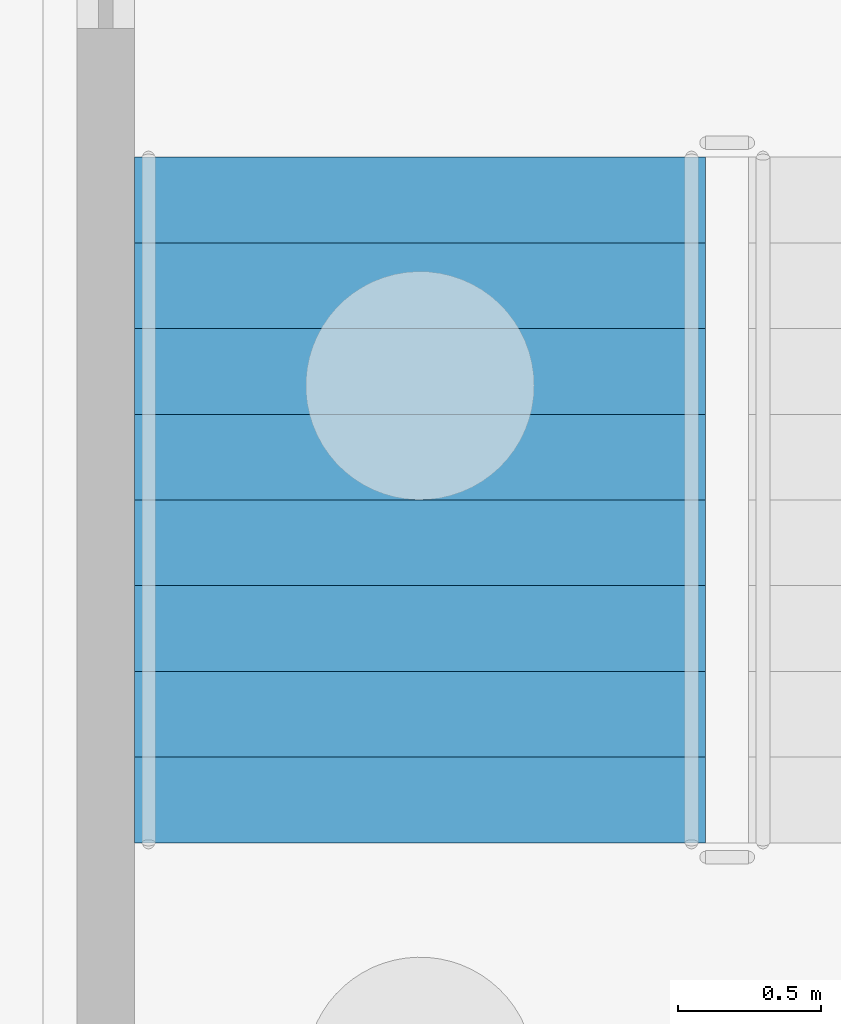
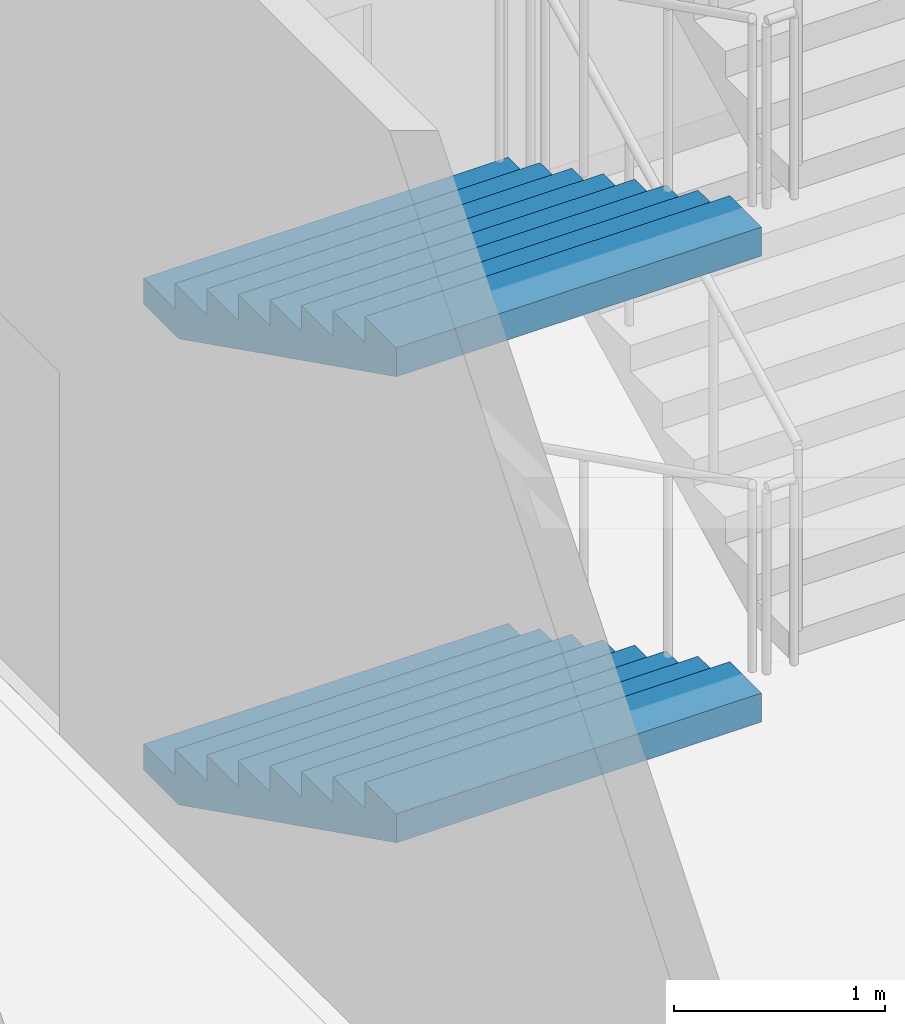
# One storey, part 100 of 129: 2 stair flights, 1 element without a shape of its own.
"""IFC4 building model written with IfcOpenShell, lengths in metres."""

from ifc_helpers import new_model, si_unit, direction, frame, origin, place, context, subcontext, project, spatial, faceted_brep, material, type_object, element, aggregate, save


model = new_model("IFC4")

# Units and contexts
model_context = context("Model", 3, precision=1e-05, world=origin(), true_north=direction((0.0, 1.0)))
body_context = subcontext(model_context, "Body", "Model", "MODEL_VIEW")
ifc_project = project(units=[si_unit("LENGTHUNIT", "METRE"), si_unit("AREAUNIT", "SQUARE_METRE"), si_unit("VOLUMEUNIT", "CUBIC_METRE"), si_unit("PLANEANGLEUNIT", "RADIAN"), si_unit("MASSUNIT", "GRAM", prefix="KILO")], contexts=[model_context])

# Site, building, storey
site_placement = place(None, origin())
site = spatial("IfcSite", under=ifc_project, at=site_placement, CompositionType="ELEMENT")
building_placement = place(site_placement, origin())
building = spatial("IfcBuilding", under=site, at=building_placement, Name="Kiln Court Media Centre", CompositionType="ELEMENT")
storey_placement = place(building_placement, origin())
storey = spatial("IfcBuildingStorey", under=building, at=storey_placement, Name="L00", CompositionType="ELEMENT", Elevation=0.0)

# Stair, stair flights
ifc_material_1 = material(Name="Concrete C40/50", Category="concrete")
stair_type = type_object("IfcStairType", Name="Concrete C40/50 dog-leg stair 2000 wide, 150 riser", PredefinedType="HALF_TURN_STAIR", material=ifc_material_1)
stair_placement = place(storey_placement, origin())
stair = element("IfcStair", 1, at=stair_placement, inside=storey, type_object=stair_type, Name="ST-15 L00", PredefinedType="HALF_TURN_STAIR")
ifc_material_2 = material(Name="Concrete C40/50", Category="concrete")
stair_flight_type = type_object("IfcStairFlightType", Name="Concrete C40/50 stair flight 2000 wide, 150 riser, 300 going", PredefinedType="STRAIGHT", material=ifc_material_2)
stair_flight_1_placement = place(storey_placement, frame((164.39990234375, 64.39990234375, 0.0), z_axis=(0.0, 0.0, 1.0), x_axis=(0.0, -1.0, 0.0)))
stair_flight_1 = element("IfcStairFlight", 2, at=stair_flight_1_placement, type_object=stair_flight_type, Name="L00-ST-5014 flight 5056", NumberOfRisers=9, NumberOfTreads=8, PredefinedType="STRAIGHT", RiserHeight=0.15, TreadLength=0.3, context=body_context, shape_type="Brep", body=[
    faceted_brep([(0.335205078125, -1.0, 0.0), (2.39990234375, -1.0, 1.032470703125), (2.39990234375, -1.0, 1.199951171875), (2.10009765625, -1.0, 1.199951171875), (2.10009765625, -1.0, 1.050048828125), (1.800048828125, -1.0, 1.050048828125), (1.800048828125, -1.0, 0.89990234375), (1.5, -1.0, 0.89990234375), (1.5, -1.0, 0.75), (1.199951171875, -1.0, 0.75), (1.199951171875, -1.0, 0.60009765625), (0.89990234375, -1.0, 0.60009765625), (0.89990234375, -1.0, 0.449951171875), (0.60009765625, -1.0, 0.449951171875), (0.60009765625, -1.0, 0.300048828125), (0.300048828125, -1.0, 0.300048828125), (0.300048828125, -1.0, 0.14990234375), (0.0, -1.0, 0.14990234375), (0.0, -1.0, 0.0), (0.0, 1.0, 0.0), (0.0, 1.0, 0.14990234375), (0.300048828125, 1.0, 0.14990234375), (0.300048828125, 1.0, 0.300048828125), (0.60009765625, 1.0, 0.300048828125), (0.60009765625, 1.0, 0.449951171875), (0.89990234375, 1.0, 0.449951171875), (0.89990234375, 1.0, 0.60009765625), (1.199951171875, 1.0, 0.60009765625), (1.199951171875, 1.0, 0.75), (1.5, 1.0, 0.75), (1.5, 1.0, 0.89990234375), (1.800048828125, 1.0, 0.89990234375), (1.800048828125, 1.0, 1.050048828125), (2.10009765625, 1.0, 1.050048828125), (2.10009765625, 1.0, 1.199951171875), (2.39990234375, 1.0, 1.199951171875), (2.39990234375, 1.0, 1.032470703125), (0.335205078125, 1.0, 0.0), (2.39990234375, 0.10009765625, 1.032470703125), (0.335205078125, 0.10009765625, 0.0), (2.39990234375, 0.080078125, 1.032470703125), (0.335205078125, 0.080078125, 0.0), (2.39990234375, 0.06005859375, 1.032470703125), (0.335205078125, 0.06005859375, 0.0), (2.39990234375, 0.0400390625, 1.032470703125), (0.335205078125, 0.0400390625, 0.0), (2.39990234375, 0.02001953125, 1.032470703125), (0.335205078125, 0.02001953125, 0.0), (2.39990234375, 0.0, 1.032470703125), (0.335205078125, 0.0, 0.0), (2.39990234375, -0.02001953125, 1.032470703125), (0.335205078125, -0.02001953125, 0.0), (2.39990234375, -0.0400390625, 1.032470703125), (0.335205078125, -0.0400390625, 0.0), (2.39990234375, -0.06005859375, 1.032470703125), (0.335205078125, -0.06005859375, 0.0), (2.39990234375, -0.080078125, 1.032470703125), (0.335205078125, -0.080078125, 0.0), (2.39990234375, -0.10009765625, 1.032470703125), (0.335205078125, -0.10009765625, 0.0), (2.39990234375, 0.10009765625, 1.199951171875), (2.39990234375, 0.080078125, 1.199951171875), (2.39990234375, 0.06005859375, 1.199951171875), (2.39990234375, 0.0400390625, 1.199951171875), (2.39990234375, 0.02001953125, 1.199951171875), (2.39990234375, 0.0, 1.199951171875), (2.39990234375, -0.02001953125, 1.199951171875), (2.39990234375, -0.0400390625, 1.199951171875), (2.39990234375, -0.06005859375, 1.199951171875), (2.39990234375, -0.080078125, 1.199951171875), (2.39990234375, -0.10009765625, 1.199951171875), (2.10009765625, 0.10009765625, 1.199951171875), (2.10009765625, 0.080078125, 1.199951171875), (2.10009765625, 0.06005859375, 1.199951171875), (2.10009765625, 0.0400390625, 1.199951171875), (2.10009765625, 0.02001953125, 1.199951171875), (2.10009765625, 0.0, 1.199951171875), (2.10009765625, -0.02001953125, 1.199951171875), (2.10009765625, -0.0400390625, 1.199951171875), (2.10009765625, -0.06005859375, 1.199951171875), (2.10009765625, -0.080078125, 1.199951171875), (2.10009765625, -0.10009765625, 1.199951171875), (2.10009765625, 0.10009765625, 1.050048828125), (2.10009765625, 0.080078125, 1.050048828125), (2.10009765625, 0.06005859375, 1.050048828125), (2.10009765625, 0.0400390625, 1.050048828125), (2.10009765625, 0.02001953125, 1.050048828125), (2.10009765625, 0.0, 1.050048828125), (2.10009765625, -0.02001953125, 1.050048828125), (2.10009765625, -0.0400390625, 1.050048828125), (2.10009765625, -0.06005859375, 1.050048828125), (2.10009765625, -0.080078125, 1.050048828125), (2.10009765625, -0.10009765625, 1.050048828125), (1.800048828125, 0.10009765625, 1.050048828125), (1.800048828125, 0.080078125, 1.050048828125), (1.800048828125, 0.06005859375, 1.050048828125), (1.800048828125, 0.0400390625, 1.050048828125), (1.800048828125, 0.02001953125, 1.050048828125), (1.800048828125, 0.0, 1.050048828125), (1.800048828125, -0.02001953125, 1.050048828125), (1.800048828125, -0.0400390625, 1.050048828125), (1.800048828125, -0.06005859375, 1.050048828125), (1.800048828125, -0.080078125, 1.050048828125), (1.800048828125, -0.10009765625, 1.050048828125), (1.800048828125, 0.10009765625, 0.89990234375), (1.800048828125, 0.080078125, 0.89990234375), (1.800048828125, 0.06005859375, 0.89990234375), (1.800048828125, 0.0400390625, 0.89990234375), (1.800048828125, 0.02001953125, 0.89990234375), (1.800048828125, 0.0, 0.89990234375), (1.800048828125, -0.02001953125, 0.89990234375), (1.800048828125, -0.0400390625, 0.89990234375), (1.800048828125, -0.06005859375, 0.89990234375), (1.800048828125, -0.080078125, 0.89990234375), (1.800048828125, -0.10009765625, 0.89990234375), (1.5, 0.10009765625, 0.89990234375), (1.5, 0.080078125, 0.89990234375), (1.5, 0.06005859375, 0.89990234375), (1.5, 0.0400390625, 0.89990234375), (1.5, 0.02001953125, 0.89990234375), (1.5, 0.0, 0.89990234375), (1.5, -0.02001953125, 0.89990234375), (1.5, -0.0400390625, 0.89990234375), (1.5, -0.06005859375, 0.89990234375), (1.5, -0.080078125, 0.89990234375), (1.5, -0.10009765625, 0.89990234375), (1.5, 0.10009765625, 0.75), (1.5, 0.080078125, 0.75), (1.5, 0.06005859375, 0.75), (1.5, 0.0400390625, 0.75), (1.5, 0.02001953125, 0.75), (1.5, 0.0, 0.75), (1.5, -0.02001953125, 0.75), (1.5, -0.0400390625, 0.75), (1.5, -0.06005859375, 0.75), (1.5, -0.080078125, 0.75), (1.5, -0.10009765625, 0.75), (1.199951171875, 0.10009765625, 0.75), (1.199951171875, 0.080078125, 0.75), (1.199951171875, 0.06005859375, 0.75), (1.199951171875, 0.0400390625, 0.75), (1.199951171875, 0.02001953125, 0.75), (1.199951171875, 0.0, 0.75), (1.199951171875, -0.02001953125, 0.75), (1.199951171875, -0.0400390625, 0.75), (1.199951171875, -0.06005859375, 0.75), (1.199951171875, -0.080078125, 0.75), (1.199951171875, -0.10009765625, 0.75), (1.199951171875, 0.10009765625, 0.60009765625), (1.199951171875, 0.080078125, 0.60009765625), (1.199951171875, 0.06005859375, 0.60009765625), (1.199951171875, 0.0400390625, 0.60009765625), (1.199951171875, 0.02001953125, 0.60009765625), (1.199951171875, 0.0, 0.60009765625), (1.199951171875, -0.02001953125, 0.60009765625), (1.199951171875, -0.0400390625, 0.60009765625), (1.199951171875, -0.06005859375, 0.60009765625), (1.199951171875, -0.080078125, 0.60009765625), (1.199951171875, -0.10009765625, 0.60009765625), (0.89990234375, 0.10009765625, 0.60009765625), (0.89990234375, 0.080078125, 0.60009765625), (0.89990234375, 0.06005859375, 0.60009765625), (0.89990234375, 0.0400390625, 0.60009765625), (0.89990234375, 0.02001953125, 0.60009765625), (0.89990234375, 0.0, 0.60009765625), (0.89990234375, -0.02001953125, 0.60009765625), (0.89990234375, -0.0400390625, 0.60009765625), (0.89990234375, -0.06005859375, 0.60009765625), (0.89990234375, -0.080078125, 0.60009765625), (0.89990234375, -0.10009765625, 0.60009765625), (0.89990234375, 0.10009765625, 0.449951171875), (0.89990234375, 0.080078125, 0.449951171875), (0.89990234375, 0.06005859375, 0.449951171875), (0.89990234375, 0.0400390625, 0.449951171875), (0.89990234375, 0.02001953125, 0.449951171875), (0.89990234375, 0.0, 0.449951171875), (0.89990234375, -0.02001953125, 0.449951171875), (0.89990234375, -0.0400390625, 0.449951171875), (0.89990234375, -0.06005859375, 0.449951171875), (0.89990234375, -0.080078125, 0.449951171875), (0.89990234375, -0.10009765625, 0.449951171875), (0.60009765625, 0.10009765625, 0.449951171875), (0.60009765625, 0.080078125, 0.449951171875), (0.60009765625, 0.06005859375, 0.449951171875), (0.60009765625, 0.0400390625, 0.449951171875), (0.60009765625, 0.02001953125, 0.449951171875), (0.60009765625, 0.0, 0.449951171875), (0.60009765625, -0.02001953125, 0.449951171875), (0.60009765625, -0.0400390625, 0.449951171875), (0.60009765625, -0.06005859375, 0.449951171875), (0.60009765625, -0.080078125, 0.449951171875), (0.60009765625, -0.10009765625, 0.449951171875), (0.60009765625, 0.10009765625, 0.300048828125), (0.60009765625, 0.080078125, 0.300048828125), (0.60009765625, 0.06005859375, 0.300048828125), (0.60009765625, 0.0400390625, 0.300048828125), (0.60009765625, 0.02001953125, 0.300048828125), (0.60009765625, 0.0, 0.300048828125), (0.60009765625, -0.02001953125, 0.300048828125), (0.60009765625, -0.0400390625, 0.300048828125), (0.60009765625, -0.06005859375, 0.300048828125), (0.60009765625, -0.080078125, 0.300048828125), (0.60009765625, -0.10009765625, 0.300048828125), (0.300048828125, 0.10009765625, 0.300048828125), (0.300048828125, 0.080078125, 0.300048828125), (0.300048828125, 0.06005859375, 0.300048828125), (0.300048828125, 0.0400390625, 0.300048828125), (0.300048828125, 0.02001953125, 0.300048828125), (0.300048828125, 0.0, 0.300048828125), (0.300048828125, -0.02001953125, 0.300048828125), (0.300048828125, -0.0400390625, 0.300048828125), (0.300048828125, -0.06005859375, 0.300048828125), (0.300048828125, -0.080078125, 0.300048828125), (0.300048828125, -0.10009765625, 0.300048828125), (0.300048828125, 0.10009765625, 0.14990234375), (0.300048828125, 0.080078125, 0.14990234375), (0.300048828125, 0.06005859375, 0.14990234375), (0.300048828125, 0.0400390625, 0.14990234375), (0.300048828125, 0.02001953125, 0.14990234375), (0.300048828125, 0.0, 0.14990234375), (0.300048828125, -0.02001953125, 0.14990234375), (0.300048828125, -0.0400390625, 0.14990234375), (0.300048828125, -0.06005859375, 0.14990234375), (0.300048828125, -0.080078125, 0.14990234375), (0.300048828125, -0.10009765625, 0.14990234375), (0.0, 0.10009765625, 0.14990234375), (0.0, 0.080078125, 0.14990234375), (0.0, 0.06005859375, 0.14990234375), (0.0, 0.0400390625, 0.14990234375), (0.0, 0.02001953125, 0.14990234375), (0.0, 0.0, 0.14990234375), (0.0, -0.02001953125, 0.14990234375), (0.0, -0.0400390625, 0.14990234375), (0.0, -0.06005859375, 0.14990234375), (0.0, -0.080078125, 0.14990234375), (0.0, -0.10009765625, 0.14990234375), (0.0, 0.10009765625, 0.0), (0.0, 0.080078125, 0.0), (0.0, 0.06005859375, 0.0), (0.0, 0.0400390625, 0.0), (0.0, 0.02001953125, 0.0), (0.0, 0.0, 0.0), (0.0, -0.02001953125, 0.0), (0.0, -0.0400390625, 0.0), (0.0, -0.06005859375, 0.0), (0.0, -0.080078125, 0.0), (0.0, -0.10009765625, 0.0)], [[[0, 1, 2, 3, 4, 5, 6, 7, 8, 9, 10, 11, 12, 13, 14, 15, 16, 17, 18]], [[19, 20, 21, 22, 23, 24, 25, 26, 27, 28, 29, 30, 31, 32, 33, 34, 35, 36, 37]], [[37, 36, 38, 39]], [[39, 38, 40, 41]], [[41, 40, 42, 43]], [[43, 42, 44, 45]], [[45, 44, 46, 47]], [[47, 46, 48, 49]], [[49, 48, 50, 51]], [[51, 50, 52, 53]], [[53, 52, 54, 55]], [[55, 54, 56, 57]], [[57, 56, 58, 59]], [[59, 58, 1, 0]], [[36, 35, 60, 38]], [[38, 60, 61, 40]], [[40, 61, 62, 42]], [[42, 62, 63, 44]], [[44, 63, 64, 46]], [[46, 64, 65, 48]], [[48, 65, 66, 50]], [[50, 66, 67, 52]], [[52, 67, 68, 54]], [[54, 68, 69, 56]], [[56, 69, 70, 58]], [[58, 70, 2, 1]], [[35, 34, 71, 60]], [[60, 71, 72, 61]], [[61, 72, 73, 62]], [[62, 73, 74, 63]], [[63, 74, 75, 64]], [[64, 75, 76, 65]], [[65, 76, 77, 66]], [[66, 77, 78, 67]], [[67, 78, 79, 68]], [[68, 79, 80, 69]], [[69, 80, 81, 70]], [[70, 81, 3, 2]], [[34, 33, 82, 71]], [[71, 82, 83, 72]], [[72, 83, 84, 73]], [[73, 84, 85, 74]], [[74, 85, 86, 75]], [[75, 86, 87, 76]], [[76, 87, 88, 77]], [[77, 88, 89, 78]], [[78, 89, 90, 79]], [[79, 90, 91, 80]], [[80, 91, 92, 81]], [[81, 92, 4, 3]], [[33, 32, 93, 82]], [[82, 93, 94, 83]], [[83, 94, 95, 84]], [[84, 95, 96, 85]], [[85, 96, 97, 86]], [[86, 97, 98, 87]], [[87, 98, 99, 88]], [[88, 99, 100, 89]], [[89, 100, 101, 90]], [[90, 101, 102, 91]], [[91, 102, 103, 92]], [[92, 103, 5, 4]], [[32, 31, 104, 93]], [[93, 104, 105, 94]], [[94, 105, 106, 95]], [[95, 106, 107, 96]], [[96, 107, 108, 97]], [[97, 108, 109, 98]], [[98, 109, 110, 99]], [[99, 110, 111, 100]], [[100, 111, 112, 101]], [[101, 112, 113, 102]], [[102, 113, 114, 103]], [[103, 114, 6, 5]], [[31, 30, 115, 104]], [[104, 115, 116, 105]], [[105, 116, 117, 106]], [[106, 117, 118, 107]], [[107, 118, 119, 108]], [[108, 119, 120, 109]], [[109, 120, 121, 110]], [[110, 121, 122, 111]], [[111, 122, 123, 112]], [[112, 123, 124, 113]], [[113, 124, 125, 114]], [[114, 125, 7, 6]], [[30, 29, 126, 115]], [[115, 126, 127, 116]], [[116, 127, 128, 117]], [[117, 128, 129, 118]], [[118, 129, 130, 119]], [[119, 130, 131, 120]], [[120, 131, 132, 121]], [[121, 132, 133, 122]], [[122, 133, 134, 123]], [[123, 134, 135, 124]], [[124, 135, 136, 125]], [[125, 136, 8, 7]], [[29, 28, 137, 126]], [[126, 137, 138, 127]], [[127, 138, 139, 128]], [[128, 139, 140, 129]], [[129, 140, 141, 130]], [[130, 141, 142, 131]], [[131, 142, 143, 132]], [[132, 143, 144, 133]], [[133, 144, 145, 134]], [[134, 145, 146, 135]], [[135, 146, 147, 136]], [[136, 147, 9, 8]], [[28, 27, 148, 137]], [[137, 148, 149, 138]], [[138, 149, 150, 139]], [[139, 150, 151, 140]], [[140, 151, 152, 141]], [[141, 152, 153, 142]], [[142, 153, 154, 143]], [[143, 154, 155, 144]], [[144, 155, 156, 145]], [[145, 156, 157, 146]], [[146, 157, 158, 147]], [[147, 158, 10, 9]], [[27, 26, 159, 148]], [[148, 159, 160, 149]], [[149, 160, 161, 150]], [[150, 161, 162, 151]], [[151, 162, 163, 152]], [[152, 163, 164, 153]], [[153, 164, 165, 154]], [[154, 165, 166, 155]], [[155, 166, 167, 156]], [[156, 167, 168, 157]], [[157, 168, 169, 158]], [[158, 169, 11, 10]], [[26, 25, 170, 159]], [[159, 170, 171, 160]], [[160, 171, 172, 161]], [[161, 172, 173, 162]], [[162, 173, 174, 163]], [[163, 174, 175, 164]], [[164, 175, 176, 165]], [[165, 176, 177, 166]], [[166, 177, 178, 167]], [[167, 178, 179, 168]], [[168, 179, 180, 169]], [[169, 180, 12, 11]], [[25, 24, 181, 170]], [[170, 181, 182, 171]], [[171, 182, 183, 172]], [[172, 183, 184, 173]], [[173, 184, 185, 174]], [[174, 185, 186, 175]], [[175, 186, 187, 176]], [[176, 187, 188, 177]], [[177, 188, 189, 178]], [[178, 189, 190, 179]], [[179, 190, 191, 180]], [[180, 191, 13, 12]], [[24, 23, 192, 181]], [[181, 192, 193, 182]], [[182, 193, 194, 183]], [[183, 194, 195, 184]], [[184, 195, 196, 185]], [[185, 196, 197, 186]], [[186, 197, 198, 187]], [[187, 198, 199, 188]], [[188, 199, 200, 189]], [[189, 200, 201, 190]], [[190, 201, 202, 191]], [[191, 202, 14, 13]], [[23, 22, 203, 192]], [[192, 203, 204, 193]], [[193, 204, 205, 194]], [[194, 205, 206, 195]], [[195, 206, 207, 196]], [[196, 207, 208, 197]], [[197, 208, 209, 198]], [[198, 209, 210, 199]], [[199, 210, 211, 200]], [[200, 211, 212, 201]], [[201, 212, 213, 202]], [[202, 213, 15, 14]], [[22, 21, 214, 203]], [[203, 214, 215, 204]], [[204, 215, 216, 205]], [[205, 216, 217, 206]], [[206, 217, 218, 207]], [[207, 218, 219, 208]], [[208, 219, 220, 209]], [[209, 220, 221, 210]], [[210, 221, 222, 211]], [[211, 222, 223, 212]], [[212, 223, 224, 213]], [[213, 224, 16, 15]], [[21, 20, 225, 214]], [[214, 225, 226, 215]], [[215, 226, 227, 216]], [[216, 227, 228, 217]], [[217, 228, 229, 218]], [[218, 229, 230, 219]], [[219, 230, 231, 220]], [[220, 231, 232, 221]], [[221, 232, 233, 222]], [[222, 233, 234, 223]], [[223, 234, 235, 224]], [[224, 235, 17, 16]], [[20, 19, 236, 225]], [[225, 236, 237, 226]], [[226, 237, 238, 227]], [[227, 238, 239, 228]], [[228, 239, 240, 229]], [[229, 240, 241, 230]], [[230, 241, 242, 231]], [[231, 242, 243, 232]], [[232, 243, 244, 233]], [[233, 244, 245, 234]], [[234, 245, 246, 235]], [[235, 246, 18, 17]], [[19, 37, 39, 236]], [[236, 39, 41, 237]], [[237, 41, 43, 238]], [[238, 43, 45, 239]], [[239, 45, 47, 240]], [[240, 47, 49, 241]], [[241, 49, 51, 242]], [[242, 51, 53, 243]], [[243, 53, 55, 244]], [[244, 55, 57, 245]], [[245, 57, 59, 246]], [[246, 59, 0, 18]]]),
])
stair_flight_2_placement = place(storey_placement, frame((164.39990234375, 64.39990234375, 2.699951171875), z_axis=(0.0, 0.0, 1.0), x_axis=(0.0, -1.0, 0.0)))
stair_flight_2 = element("IfcStairFlight", 3, at=stair_flight_2_placement, type_object=stair_flight_type, Name="L00-ST-5014 flight 5058", NumberOfRisers=9, NumberOfTreads=8, PredefinedType="STRAIGHT", RiserHeight=0.15, TreadLength=0.3, context=body_context, shape_type="Brep", body=[
    faceted_brep([(0.335205078125, -1.0, 0.0), (2.39990234375, -1.0, 1.032470703125), (2.39990234375, -1.0, 1.199951171875), (2.10009765625, -1.0, 1.199951171875), (2.10009765625, -1.0, 1.050048828125), (1.800048828125, -1.0, 1.050048828125), (1.800048828125, -1.0, 0.89990234375), (1.5, -1.0, 0.89990234375), (1.5, -1.0, 0.75), (1.199951171875, -1.0, 0.75), (1.199951171875, -1.0, 0.60009765625), (0.89990234375, -1.0, 0.60009765625), (0.89990234375, -1.0, 0.449951171875), (0.60009765625, -1.0, 0.449951171875), (0.60009765625, -1.0, 0.300048828125), (0.300048828125, -1.0, 0.300048828125), (0.300048828125, -1.0, 0.14990234375), (0.0, -1.0, 0.14990234375), (0.0, -1.0, 0.0), (0.0, 1.0, 0.0), (0.0, 1.0, 0.14990234375), (0.300048828125, 1.0, 0.14990234375), (0.300048828125, 1.0, 0.300048828125), (0.60009765625, 1.0, 0.300048828125), (0.60009765625, 1.0, 0.449951171875), (0.89990234375, 1.0, 0.449951171875), (0.89990234375, 1.0, 0.60009765625), (1.199951171875, 1.0, 0.60009765625), (1.199951171875, 1.0, 0.75), (1.5, 1.0, 0.75), (1.5, 1.0, 0.89990234375), (1.800048828125, 1.0, 0.89990234375), (1.800048828125, 1.0, 1.050048828125), (2.10009765625, 1.0, 1.050048828125), (2.10009765625, 1.0, 1.199951171875), (2.39990234375, 1.0, 1.199951171875), (2.39990234375, 1.0, 1.032470703125), (0.335205078125, 1.0, 0.0), (2.39990234375, 0.10009765625, 1.032470703125), (0.335205078125, 0.10009765625, 0.0), (2.39990234375, 0.080078125, 1.032470703125), (0.335205078125, 0.080078125, 0.0), (2.39990234375, 0.06005859375, 1.032470703125), (0.335205078125, 0.06005859375, 0.0), (2.39990234375, 0.0400390625, 1.032470703125), (0.335205078125, 0.0400390625, 0.0), (2.39990234375, 0.02001953125, 1.032470703125), (0.335205078125, 0.02001953125, 0.0), (2.39990234375, 0.0, 1.032470703125), (0.335205078125, 0.0, 0.0), (2.39990234375, -0.02001953125, 1.032470703125), (0.335205078125, -0.02001953125, 0.0), (2.39990234375, -0.0400390625, 1.032470703125), (0.335205078125, -0.0400390625, 0.0), (2.39990234375, -0.06005859375, 1.032470703125), (0.335205078125, -0.06005859375, 0.0), (2.39990234375, -0.080078125, 1.032470703125), (0.335205078125, -0.080078125, 0.0), (2.39990234375, -0.10009765625, 1.032470703125), (0.335205078125, -0.10009765625, 0.0), (2.39990234375, 0.10009765625, 1.199951171875), (2.39990234375, 0.080078125, 1.199951171875), (2.39990234375, 0.06005859375, 1.199951171875), (2.39990234375, 0.0400390625, 1.199951171875), (2.39990234375, 0.02001953125, 1.199951171875), (2.39990234375, 0.0, 1.199951171875), (2.39990234375, -0.02001953125, 1.199951171875), (2.39990234375, -0.0400390625, 1.199951171875), (2.39990234375, -0.06005859375, 1.199951171875), (2.39990234375, -0.080078125, 1.199951171875), (2.39990234375, -0.10009765625, 1.199951171875), (2.10009765625, 0.10009765625, 1.199951171875), (2.10009765625, 0.080078125, 1.199951171875), (2.10009765625, 0.06005859375, 1.199951171875), (2.10009765625, 0.0400390625, 1.199951171875), (2.10009765625, 0.02001953125, 1.199951171875), (2.10009765625, 0.0, 1.199951171875), (2.10009765625, -0.02001953125, 1.199951171875), (2.10009765625, -0.0400390625, 1.199951171875), (2.10009765625, -0.06005859375, 1.199951171875), (2.10009765625, -0.080078125, 1.199951171875), (2.10009765625, -0.10009765625, 1.199951171875), (2.10009765625, 0.10009765625, 1.050048828125), (2.10009765625, 0.080078125, 1.050048828125), (2.10009765625, 0.06005859375, 1.050048828125), (2.10009765625, 0.0400390625, 1.050048828125), (2.10009765625, 0.02001953125, 1.050048828125), (2.10009765625, 0.0, 1.050048828125), (2.10009765625, -0.02001953125, 1.050048828125), (2.10009765625, -0.0400390625, 1.050048828125), (2.10009765625, -0.06005859375, 1.050048828125), (2.10009765625, -0.080078125, 1.050048828125), (2.10009765625, -0.10009765625, 1.050048828125), (1.800048828125, 0.10009765625, 1.050048828125), (1.800048828125, 0.080078125, 1.050048828125), (1.800048828125, 0.06005859375, 1.050048828125), (1.800048828125, 0.0400390625, 1.050048828125), (1.800048828125, 0.02001953125, 1.050048828125), (1.800048828125, 0.0, 1.050048828125), (1.800048828125, -0.02001953125, 1.050048828125), (1.800048828125, -0.0400390625, 1.050048828125), (1.800048828125, -0.06005859375, 1.050048828125), (1.800048828125, -0.080078125, 1.050048828125), (1.800048828125, -0.10009765625, 1.050048828125), (1.800048828125, 0.10009765625, 0.89990234375), (1.800048828125, 0.080078125, 0.89990234375), (1.800048828125, 0.06005859375, 0.89990234375), (1.800048828125, 0.0400390625, 0.89990234375), (1.800048828125, 0.02001953125, 0.89990234375), (1.800048828125, 0.0, 0.89990234375), (1.800048828125, -0.02001953125, 0.89990234375), (1.800048828125, -0.0400390625, 0.89990234375), (1.800048828125, -0.06005859375, 0.89990234375), (1.800048828125, -0.080078125, 0.89990234375), (1.800048828125, -0.10009765625, 0.89990234375), (1.5, 0.10009765625, 0.89990234375), (1.5, 0.080078125, 0.89990234375), (1.5, 0.06005859375, 0.89990234375), (1.5, 0.0400390625, 0.89990234375), (1.5, 0.02001953125, 0.89990234375), (1.5, 0.0, 0.89990234375), (1.5, -0.02001953125, 0.89990234375), (1.5, -0.0400390625, 0.89990234375), (1.5, -0.06005859375, 0.89990234375), (1.5, -0.080078125, 0.89990234375), (1.5, -0.10009765625, 0.89990234375), (1.5, 0.10009765625, 0.75), (1.5, 0.080078125, 0.75), (1.5, 0.06005859375, 0.75), (1.5, 0.0400390625, 0.75), (1.5, 0.02001953125, 0.75), (1.5, 0.0, 0.75), (1.5, -0.02001953125, 0.75), (1.5, -0.0400390625, 0.75), (1.5, -0.06005859375, 0.75), (1.5, -0.080078125, 0.75), (1.5, -0.10009765625, 0.75), (1.199951171875, 0.10009765625, 0.75), (1.199951171875, 0.080078125, 0.75), (1.199951171875, 0.06005859375, 0.75), (1.199951171875, 0.0400390625, 0.75), (1.199951171875, 0.02001953125, 0.75), (1.199951171875, 0.0, 0.75), (1.199951171875, -0.02001953125, 0.75), (1.199951171875, -0.0400390625, 0.75), (1.199951171875, -0.06005859375, 0.75), (1.199951171875, -0.080078125, 0.75), (1.199951171875, -0.10009765625, 0.75), (1.199951171875, 0.10009765625, 0.60009765625), (1.199951171875, 0.080078125, 0.60009765625), (1.199951171875, 0.06005859375, 0.60009765625), (1.199951171875, 0.0400390625, 0.60009765625), (1.199951171875, 0.02001953125, 0.60009765625), (1.199951171875, 0.0, 0.60009765625), (1.199951171875, -0.02001953125, 0.60009765625), (1.199951171875, -0.0400390625, 0.60009765625), (1.199951171875, -0.06005859375, 0.60009765625), (1.199951171875, -0.080078125, 0.60009765625), (1.199951171875, -0.10009765625, 0.60009765625), (0.89990234375, 0.10009765625, 0.60009765625), (0.89990234375, 0.080078125, 0.60009765625), (0.89990234375, 0.06005859375, 0.60009765625), (0.89990234375, 0.0400390625, 0.60009765625), (0.89990234375, 0.02001953125, 0.60009765625), (0.89990234375, 0.0, 0.60009765625), (0.89990234375, -0.02001953125, 0.60009765625), (0.89990234375, -0.0400390625, 0.60009765625), (0.89990234375, -0.06005859375, 0.60009765625), (0.89990234375, -0.080078125, 0.60009765625), (0.89990234375, -0.10009765625, 0.60009765625), (0.89990234375, 0.10009765625, 0.449951171875), (0.89990234375, 0.080078125, 0.449951171875), (0.89990234375, 0.06005859375, 0.449951171875), (0.89990234375, 0.0400390625, 0.449951171875), (0.89990234375, 0.02001953125, 0.449951171875), (0.89990234375, 0.0, 0.449951171875), (0.89990234375, -0.02001953125, 0.449951171875), (0.89990234375, -0.0400390625, 0.449951171875), (0.89990234375, -0.06005859375, 0.449951171875), (0.89990234375, -0.080078125, 0.449951171875), (0.89990234375, -0.10009765625, 0.449951171875), (0.60009765625, 0.10009765625, 0.449951171875), (0.60009765625, 0.080078125, 0.449951171875), (0.60009765625, 0.06005859375, 0.449951171875), (0.60009765625, 0.0400390625, 0.449951171875), (0.60009765625, 0.02001953125, 0.449951171875), (0.60009765625, 0.0, 0.449951171875), (0.60009765625, -0.02001953125, 0.449951171875), (0.60009765625, -0.0400390625, 0.449951171875), (0.60009765625, -0.06005859375, 0.449951171875), (0.60009765625, -0.080078125, 0.449951171875), (0.60009765625, -0.10009765625, 0.449951171875), (0.60009765625, 0.10009765625, 0.300048828125), (0.60009765625, 0.080078125, 0.300048828125), (0.60009765625, 0.06005859375, 0.300048828125), (0.60009765625, 0.0400390625, 0.300048828125), (0.60009765625, 0.02001953125, 0.300048828125), (0.60009765625, 0.0, 0.300048828125), (0.60009765625, -0.02001953125, 0.300048828125), (0.60009765625, -0.0400390625, 0.300048828125), (0.60009765625, -0.06005859375, 0.300048828125), (0.60009765625, -0.080078125, 0.300048828125), (0.60009765625, -0.10009765625, 0.300048828125), (0.300048828125, 0.10009765625, 0.300048828125), (0.300048828125, 0.080078125, 0.300048828125), (0.300048828125, 0.06005859375, 0.300048828125), (0.300048828125, 0.0400390625, 0.300048828125), (0.300048828125, 0.02001953125, 0.300048828125), (0.300048828125, 0.0, 0.300048828125), (0.300048828125, -0.02001953125, 0.300048828125), (0.300048828125, -0.0400390625, 0.300048828125), (0.300048828125, -0.06005859375, 0.300048828125), (0.300048828125, -0.080078125, 0.300048828125), (0.300048828125, -0.10009765625, 0.300048828125), (0.300048828125, 0.10009765625, 0.14990234375), (0.300048828125, 0.080078125, 0.14990234375), (0.300048828125, 0.06005859375, 0.14990234375), (0.300048828125, 0.0400390625, 0.14990234375), (0.300048828125, 0.02001953125, 0.14990234375), (0.300048828125, 0.0, 0.14990234375), (0.300048828125, -0.02001953125, 0.14990234375), (0.300048828125, -0.0400390625, 0.14990234375), (0.300048828125, -0.06005859375, 0.14990234375), (0.300048828125, -0.080078125, 0.14990234375), (0.300048828125, -0.10009765625, 0.14990234375), (0.0, 0.10009765625, 0.14990234375), (0.0, 0.080078125, 0.14990234375), (0.0, 0.06005859375, 0.14990234375), (0.0, 0.0400390625, 0.14990234375), (0.0, 0.02001953125, 0.14990234375), (0.0, 0.0, 0.14990234375), (0.0, -0.02001953125, 0.14990234375), (0.0, -0.0400390625, 0.14990234375), (0.0, -0.06005859375, 0.14990234375), (0.0, -0.080078125, 0.14990234375), (0.0, -0.10009765625, 0.14990234375), (0.0, 0.10009765625, 0.0), (0.0, 0.080078125, 0.0), (0.0, 0.06005859375, 0.0), (0.0, 0.0400390625, 0.0), (0.0, 0.02001953125, 0.0), (0.0, 0.0, 0.0), (0.0, -0.02001953125, 0.0), (0.0, -0.0400390625, 0.0), (0.0, -0.06005859375, 0.0), (0.0, -0.080078125, 0.0), (0.0, -0.10009765625, 0.0)], [[[0, 1, 2, 3, 4, 5, 6, 7, 8, 9, 10, 11, 12, 13, 14, 15, 16, 17, 18]], [[19, 20, 21, 22, 23, 24, 25, 26, 27, 28, 29, 30, 31, 32, 33, 34, 35, 36, 37]], [[37, 36, 38, 39]], [[39, 38, 40, 41]], [[41, 40, 42, 43]], [[43, 42, 44, 45]], [[45, 44, 46, 47]], [[47, 46, 48, 49]], [[49, 48, 50, 51]], [[51, 50, 52, 53]], [[53, 52, 54, 55]], [[55, 54, 56, 57]], [[57, 56, 58, 59]], [[59, 58, 1, 0]], [[36, 35, 60, 38]], [[38, 60, 61, 40]], [[40, 61, 62, 42]], [[42, 62, 63, 44]], [[44, 63, 64, 46]], [[46, 64, 65, 48]], [[48, 65, 66, 50]], [[50, 66, 67, 52]], [[52, 67, 68, 54]], [[54, 68, 69, 56]], [[56, 69, 70, 58]], [[58, 70, 2, 1]], [[35, 34, 71, 60]], [[60, 71, 72, 61]], [[61, 72, 73, 62]], [[62, 73, 74, 63]], [[63, 74, 75, 64]], [[64, 75, 76, 65]], [[65, 76, 77, 66]], [[66, 77, 78, 67]], [[67, 78, 79, 68]], [[68, 79, 80, 69]], [[69, 80, 81, 70]], [[70, 81, 3, 2]], [[34, 33, 82, 71]], [[71, 82, 83, 72]], [[72, 83, 84, 73]], [[73, 84, 85, 74]], [[74, 85, 86, 75]], [[75, 86, 87, 76]], [[76, 87, 88, 77]], [[77, 88, 89, 78]], [[78, 89, 90, 79]], [[79, 90, 91, 80]], [[80, 91, 92, 81]], [[81, 92, 4, 3]], [[33, 32, 93, 82]], [[82, 93, 94, 83]], [[83, 94, 95, 84]], [[84, 95, 96, 85]], [[85, 96, 97, 86]], [[86, 97, 98, 87]], [[87, 98, 99, 88]], [[88, 99, 100, 89]], [[89, 100, 101, 90]], [[90, 101, 102, 91]], [[91, 102, 103, 92]], [[92, 103, 5, 4]], [[32, 31, 104, 93]], [[93, 104, 105, 94]], [[94, 105, 106, 95]], [[95, 106, 107, 96]], [[96, 107, 108, 97]], [[97, 108, 109, 98]], [[98, 109, 110, 99]], [[99, 110, 111, 100]], [[100, 111, 112, 101]], [[101, 112, 113, 102]], [[102, 113, 114, 103]], [[103, 114, 6, 5]], [[31, 30, 115, 104]], [[104, 115, 116, 105]], [[105, 116, 117, 106]], [[106, 117, 118, 107]], [[107, 118, 119, 108]], [[108, 119, 120, 109]], [[109, 120, 121, 110]], [[110, 121, 122, 111]], [[111, 122, 123, 112]], [[112, 123, 124, 113]], [[113, 124, 125, 114]], [[114, 125, 7, 6]], [[30, 29, 126, 115]], [[115, 126, 127, 116]], [[116, 127, 128, 117]], [[117, 128, 129, 118]], [[118, 129, 130, 119]], [[119, 130, 131, 120]], [[120, 131, 132, 121]], [[121, 132, 133, 122]], [[122, 133, 134, 123]], [[123, 134, 135, 124]], [[124, 135, 136, 125]], [[125, 136, 8, 7]], [[29, 28, 137, 126]], [[126, 137, 138, 127]], [[127, 138, 139, 128]], [[128, 139, 140, 129]], [[129, 140, 141, 130]], [[130, 141, 142, 131]], [[131, 142, 143, 132]], [[132, 143, 144, 133]], [[133, 144, 145, 134]], [[134, 145, 146, 135]], [[135, 146, 147, 136]], [[136, 147, 9, 8]], [[28, 27, 148, 137]], [[137, 148, 149, 138]], [[138, 149, 150, 139]], [[139, 150, 151, 140]], [[140, 151, 152, 141]], [[141, 152, 153, 142]], [[142, 153, 154, 143]], [[143, 154, 155, 144]], [[144, 155, 156, 145]], [[145, 156, 157, 146]], [[146, 157, 158, 147]], [[147, 158, 10, 9]], [[27, 26, 159, 148]], [[148, 159, 160, 149]], [[149, 160, 161, 150]], [[150, 161, 162, 151]], [[151, 162, 163, 152]], [[152, 163, 164, 153]], [[153, 164, 165, 154]], [[154, 165, 166, 155]], [[155, 166, 167, 156]], [[156, 167, 168, 157]], [[157, 168, 169, 158]], [[158, 169, 11, 10]], [[26, 25, 170, 159]], [[159, 170, 171, 160]], [[160, 171, 172, 161]], [[161, 172, 173, 162]], [[162, 173, 174, 163]], [[163, 174, 175, 164]], [[164, 175, 176, 165]], [[165, 176, 177, 166]], [[166, 177, 178, 167]], [[167, 178, 179, 168]], [[168, 179, 180, 169]], [[169, 180, 12, 11]], [[25, 24, 181, 170]], [[170, 181, 182, 171]], [[171, 182, 183, 172]], [[172, 183, 184, 173]], [[173, 184, 185, 174]], [[174, 185, 186, 175]], [[175, 186, 187, 176]], [[176, 187, 188, 177]], [[177, 188, 189, 178]], [[178, 189, 190, 179]], [[179, 190, 191, 180]], [[180, 191, 13, 12]], [[24, 23, 192, 181]], [[181, 192, 193, 182]], [[182, 193, 194, 183]], [[183, 194, 195, 184]], [[184, 195, 196, 185]], [[185, 196, 197, 186]], [[186, 197, 198, 187]], [[187, 198, 199, 188]], [[188, 199, 200, 189]], [[189, 200, 201, 190]], [[190, 201, 202, 191]], [[191, 202, 14, 13]], [[23, 22, 203, 192]], [[192, 203, 204, 193]], [[193, 204, 205, 194]], [[194, 205, 206, 195]], [[195, 206, 207, 196]], [[196, 207, 208, 197]], [[197, 208, 209, 198]], [[198, 209, 210, 199]], [[199, 210, 211, 200]], [[200, 211, 212, 201]], [[201, 212, 213, 202]], [[202, 213, 15, 14]], [[22, 21, 214, 203]], [[203, 214, 215, 204]], [[204, 215, 216, 205]], [[205, 216, 217, 206]], [[206, 217, 218, 207]], [[207, 218, 219, 208]], [[208, 219, 220, 209]], [[209, 220, 221, 210]], [[210, 221, 222, 211]], [[211, 222, 223, 212]], [[212, 223, 224, 213]], [[213, 224, 16, 15]], [[21, 20, 225, 214]], [[214, 225, 226, 215]], [[215, 226, 227, 216]], [[216, 227, 228, 217]], [[217, 228, 229, 218]], [[218, 229, 230, 219]], [[219, 230, 231, 220]], [[220, 231, 232, 221]], [[221, 232, 233, 222]], [[222, 233, 234, 223]], [[223, 234, 235, 224]], [[224, 235, 17, 16]], [[20, 19, 236, 225]], [[225, 236, 237, 226]], [[226, 237, 238, 227]], [[227, 238, 239, 228]], [[228, 239, 240, 229]], [[229, 240, 241, 230]], [[230, 241, 242, 231]], [[231, 242, 243, 232]], [[232, 243, 244, 233]], [[233, 244, 245, 234]], [[234, 245, 246, 235]], [[235, 246, 18, 17]], [[19, 37, 39, 236]], [[236, 39, 41, 237]], [[237, 41, 43, 238]], [[238, 43, 45, 239]], [[239, 45, 47, 240]], [[240, 47, 49, 241]], [[241, 49, 51, 242]], [[242, 51, 53, 243]], [[243, 53, 55, 244]], [[244, 55, 57, 245]], [[245, 57, 59, 246]], [[246, 59, 0, 18]]]),
])
aggregate(stair, [stair_flight_1, stair_flight_2])

save(model, "model.ifc")
